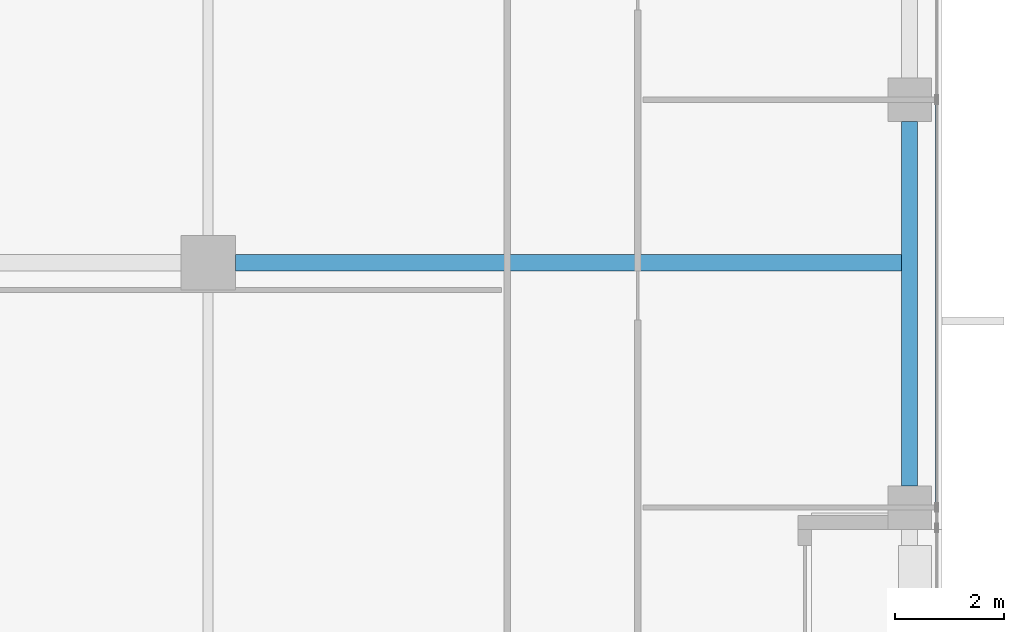
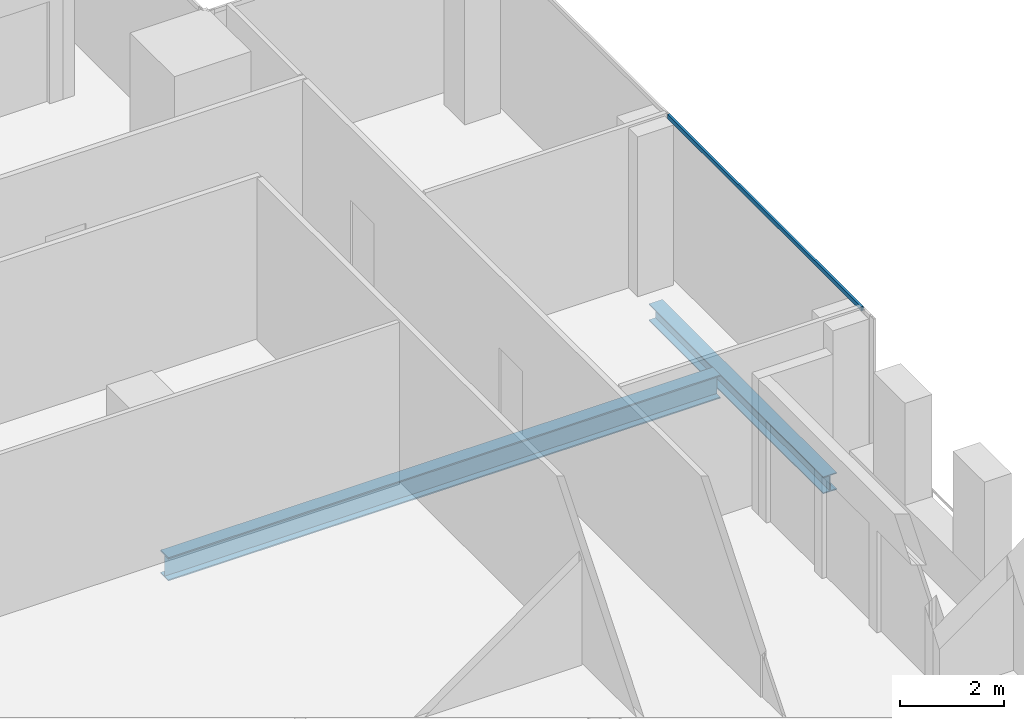
# One storey, part 11 of 29: 2 beams, 1 member, 1 element without a shape of its own.
"""IFC4 building model written with IfcOpenShell, lengths in metres."""

from ifc_helpers import new_model, si_unit, direction, frame, origin, origin_2d, place, context, subcontext, project, spatial, hollow_rectangle, i_section, extrude, source, transform, mapped, material, material_profile, profile_set, type_object, element, aggregate, save


model = new_model("IFC4")

# Units and contexts
model_context = context("Model", 3, precision=1e-05, world=origin(), true_north=direction((0.0, 1.0)))
body_context = subcontext(model_context, "Body", "Model", "MODEL_VIEW")
ifc_project = project(units=[si_unit("LENGTHUNIT", "METRE"), si_unit("AREAUNIT", "SQUARE_METRE"), si_unit("VOLUMEUNIT", "CUBIC_METRE"), si_unit("PLANEANGLEUNIT", "RADIAN"), si_unit("MASSUNIT", "GRAM", prefix="KILO")], contexts=[model_context])

# Site, building, storey
site_placement = place(None, origin())
site = spatial("IfcSite", under=ifc_project, at=site_placement, CompositionType="ELEMENT")
building_placement = place(site_placement, origin())
building = spatial("IfcBuilding", under=site, at=building_placement, Name="Khomas Fold Tower", CompositionType="ELEMENT")
storey_placement = place(building_placement, frame((0.0, 0.0, 286.199951171875)))
storey = spatial("IfcBuildingStorey", under=building, at=storey_placement, Name="L64", CompositionType="ELEMENT", Elevation=286.199951171875)

# Beams
ifc_material_1 = material(Name="Steel S355", Category="steel")
ifc_material_profile_1 = material_profile(ifc_material_1, i_section(OverallWidth=0.300048828125, OverallDepth=0.39990234375, WebThickness=0.013427734375, FlangeThickness=0.02392578125, at=origin_2d()), Name="HE 400 B")
ifc_profile_set_1 = profile_set([ifc_material_profile_1], Name="Steel S355")
beam_type_1 = type_object("IfcBeamType", Name="HE 400 B spandrel SB5", PredefinedType="SPANDREL", material=ifc_profile_set_1)
shared_shape_1 = source(origin(), body_context, "Body", "SweptSolid", [
    extrude(i_section(OverallWidth=0.300048828125, OverallDepth=0.39990234375, WebThickness=0.013427734375, FlangeThickness=0.02392578125, at=origin_2d()), origin(), (0.0, 0.0, 1.0), 6.7001953125),
])
beam_1_placement = place(storey_placement, frame((47.39990234375, 27.39990234375, -0.449951171875), z_axis=(0.0, 1.0, 0.0), x_axis=(-1.0, 0.0, 0.0)))
element("IfcBeam", 1, at=beam_1_placement, inside=storey, type_object=beam_type_1, Name="SB5", PredefinedType="SPANDREL", context=body_context, shape_type="MappedRepresentation", body=[
    mapped(shared_shape_1, transform((0.0, 0.0, 0.0))),
])
ifc_material_2 = material(Name="Steel S355", Category="steel")
ifc_material_profile_2 = material_profile(ifc_material_2, i_section(OverallWidth=0.300048828125, OverallDepth=0.550048828125, WebThickness=0.014892578125, FlangeThickness=0.029052734375, at=origin_2d()), Name="HE 550 B")
ifc_profile_set_2 = profile_set([ifc_material_profile_2], Name="Steel S355")
beam_type_2 = type_object("IfcBeamType", Name="HE 550 B beam GB4", PredefinedType="BEAM", material=ifc_profile_set_2)
shared_shape_2 = source(origin(), body_context, "Body", "SweptSolid", [
    extrude(i_section(OverallWidth=0.300048828125, OverallDepth=0.550048828125, WebThickness=0.014892578125, FlangeThickness=0.029052734375, at=origin_2d()), origin(), (0.0, 0.0, 1.0), 12.25),
])
beam_2_placement = place(storey_placement, frame((35.0, 31.5, -0.52490234375), z_axis=(1.0, 0.0, 0.0), x_axis=(0.0, 1.0, 0.0)))
element("IfcBeam", 2, at=beam_2_placement, inside=storey, type_object=beam_type_2, Name="GB4", PredefinedType="BEAM", context=body_context, shape_type="MappedRepresentation", body=[
    mapped(shared_shape_2, transform((0.0, 0.0, 0.0))),
])

# Curtain wall, member
ifc_material_3 = material(Name="Aluminium framed double glazing", Category="aluminium")
curtain_wall_type = type_object("IfcCurtainWallType", Name="SK-Unitised clear-glass wall, upper floors CW3", PredefinedType="NOTDEFINED", material=ifc_material_3)
curtain_wall_placement = place(storey_placement, origin())
curtain_wall = element("IfcCurtainWall", 3, at=curtain_wall_placement, inside=storey, type_object=curtain_wall_type, Name="CW3 run L64 03-1", PredefinedType="NOTDEFINED")
ifc_material_4 = material(Name="Aluminium", Category="aluminium")
ifc_material_profile_3 = material_profile(ifc_material_4, hollow_rectangle(XDim=0.050048828125, YDim=0.10009765625, WallThickness=0.00390625, at=origin_2d()), Name="SK-Unitised clear-glass wall, upper floors transom CW3-T")
ifc_profile_set_3 = profile_set([ifc_material_profile_3], Name="Aluminium")
member_type = type_object("IfcMemberType", Name="SK-Unitised clear-glass wall, upper floors transom CW3-T", PredefinedType="USERDEFINED", material=ifc_profile_set_3)
shared_shape_3 = source(origin(), body_context, "Body", "SweptSolid", [
    extrude(hollow_rectangle(XDim=0.050048828125, YDim=0.10009765625, WallThickness=0.00390625, at=origin_2d()), origin(), (0.0, 0.0, 1.0), 7.4501953125),
])
member_placement = place(storey_placement, frame((47.89990234375, 27.02490234375, 3.699951171875), z_axis=(0.0, 1.0, 0.0), x_axis=(-1.0, 0.0, 0.0)))
member = element("IfcMember", 4, at=member_placement, type_object=member_type, Name="CW3 transom 2", ObjectType="TRANSOM", PredefinedType="USERDEFINED", context=body_context, shape_type="MappedRepresentation", body=[
    mapped(shared_shape_3, transform((0.0, 0.0, 0.0))),
])
aggregate(curtain_wall, [member])

save(model, "model.ifc")
